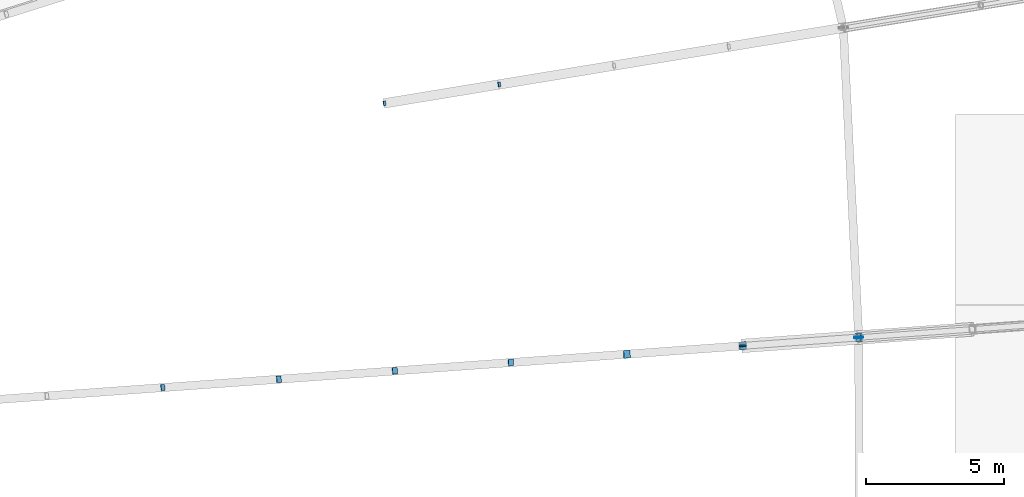
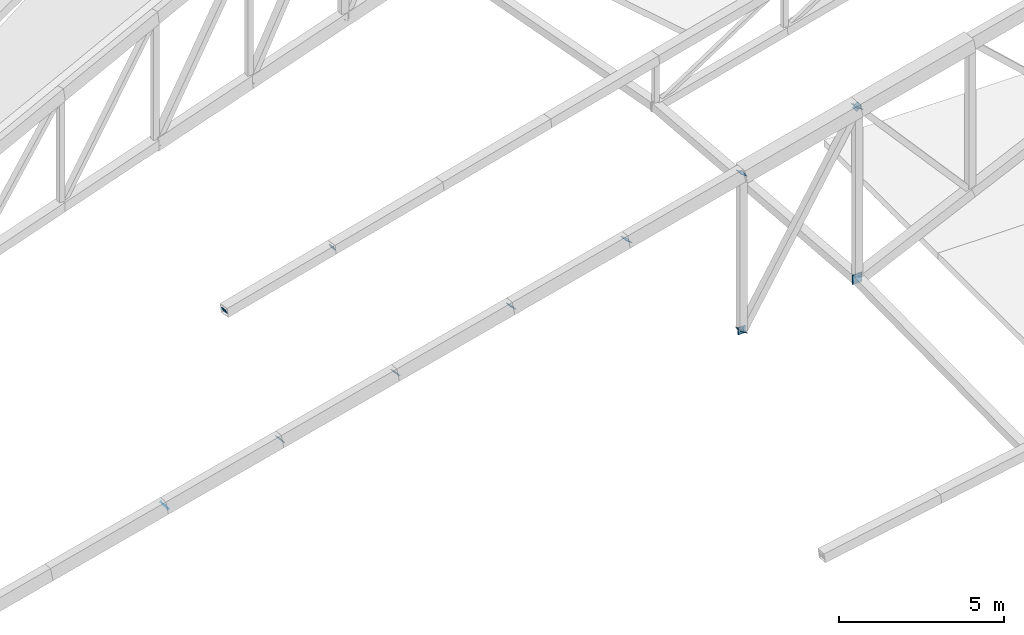
# One storey, part 176 of 188: 15 discrete accessories.
"""IFC4 building model written with IfcOpenShell, lengths in metres."""

import ifcopenshell
import ifcopenshell.guid

model = None  # the IFC model being written
_history = None  # IfcOwnerHistory: only IFC2X3 demands one
_inside = {}  # id of a spatial element -> (the spatial element, [elements in it])
_under = {}  # id of a project, library or spatial element -> (it, [spatial elements below it])
_declared = {}  # id of a project -> (the project, [libraries it declares])
_typed = {}  # id of a type object -> (the type object, [elements of that type])
_made_of = {}  # id of a material, layer set ... -> (it, [elements and type objects made of it])


def new_model(schema):
    """Start an empty IFC model of exactly this schema.

    Asked for "IFC4X3", IfcOpenShell would pick the latest addendum, in which some entities
    have other attributes; the version numbers below select the first issue.
    IFC2X3 requires an IfcOwnerHistory on every rooted entity: one is made here for all.
    """
    global model, _history
    if schema == "IFC4X3":
        model = ifcopenshell.file(schema_version=(4, 3, 0, 0))
    else:
        model = ifcopenshell.file(schema=schema)
    _inside.clear()
    _under.clear()
    _declared.clear()
    _typed.clear()
    _made_of.clear()
    _history = None
    if model.schema == "IFC2X3":
        org = make("IfcOrganization", Name="unknown")
        user = make(
            "IfcPersonAndOrganization",
            ThePerson=make("IfcPerson", FamilyName="unknown"),
            TheOrganization=org,
        )
        app = make(
            "IfcApplication",
            ApplicationDeveloper=org,
            Version="unknown",
            ApplicationFullName="unknown",
            ApplicationIdentifier="unknown",
        )
        _history = make(
            "IfcOwnerHistory",
            OwningUser=user,
            OwningApplication=app,
            ChangeAction="ADDED",
            CreationDate=0,
        )
    return model


def make(cls, **values):
    """One entity of the class cls with the attributes given. An attribute that is None is left unset."""
    return model.create_entity(
        cls, **{name: value for name, value in values.items() if value is not None}
    )


def rooted(cls, **values):
    """An entity with a GlobalId (a new one), such as an element, a storey or a relation."""
    return make(cls, GlobalId=ifcopenshell.guid.new(), OwnerHistory=_history, **values)


def si_unit(unit_type, name, prefix=None):
    """IfcSIUnit, for example si_unit("LENGTHUNIT", "METRE", prefix="MILLI")."""
    return make("IfcSIUnit", UnitType=unit_type, Prefix=prefix, Name=name)


def assignment(units):
    """IfcUnitAssignment: the units of a project."""
    return None if units is None else make("IfcUnitAssignment", Units=units)


def point(xyz):
    """IfcCartesianPoint."""
    return None if xyz is None else make("IfcCartesianPoint", Coordinates=xyz)


def direction(xyz):
    """IfcDirection."""
    return None if xyz is None else make("IfcDirection", DirectionRatios=xyz)


def frame(location, z_axis=None, x_axis=None):
    """IfcAxis2Placement3D, a coordinate frame: its origin and axes. An axis left out is left unset."""
    return make(
        "IfcAxis2Placement3D",
        Location=point(location),
        Axis=direction(z_axis),
        RefDirection=direction(x_axis),
    )


def frame_2d(location, x_axis=None):
    """IfcAxis2Placement2D, a coordinate frame in the plane: its origin and x axis."""
    return make(
        "IfcAxis2Placement2D", Location=point(location), RefDirection=direction(x_axis)
    )


def origin():
    """The frame at (0, 0, 0) with its axes left unset."""
    return frame((0.0, 0.0, 0.0))


def origin_2d():
    """The frame at (0, 0) in the plane with its x axis left unset."""
    return frame_2d((0.0, 0.0))


def place(relative_to, where):
    """IfcLocalPlacement: puts the frame where relative to a parent placement (None: the world)."""
    return make(
        "IfcLocalPlacement", PlacementRelTo=relative_to, RelativePlacement=where
    )


def context(
    kind, dimensions, precision=None, world=None, true_north=None, identifier=None
):
    """IfcGeometricRepresentationContext, for example the 3D "Model" context."""
    return make(
        "IfcGeometricRepresentationContext",
        ContextIdentifier=identifier,
        ContextType=kind,
        CoordinateSpaceDimension=dimensions,
        Precision=precision,
        WorldCoordinateSystem=world,
        TrueNorth=true_north,
    )


def subcontext(parent, identifier, kind, view, scale=None):
    """IfcGeometricRepresentationSubContext, for example "Body" below "Model"."""
    return make(
        "IfcGeometricRepresentationSubContext",
        ContextIdentifier=identifier,
        ContextType=kind,
        ParentContext=parent,
        TargetScale=scale,
        TargetView=view,
    )


def project(units=None, contexts=None):
    """IfcProject with its units and contexts."""
    return rooted(
        "IfcProject",
        Name="project",
        RepresentationContexts=contexts,
        UnitsInContext=assignment(units),
    )


def spatial(cls, under=None, at=None, **own):
    """A site, building, storey or space (cls), placed at a placement, below another one or the project."""
    s = rooted(cls, ObjectPlacement=at, **own)
    if under is not None:
        _under.setdefault(under.id(), (under, []))[1].append(s)
    return s


def profile(cls, at=None, kind="AREA", **sizes):
    """A parametric profile (cls). Its sizes go by their IFC names, for example OverallWidth=200.0."""
    return make(cls, ProfileType=kind, Position=at, **sizes)


def rectangle(**sizes):
    """IfcRectangleProfileDef."""
    return profile("IfcRectangleProfileDef", **sizes)


def extrude(swept, where, along, depth):
    """IfcExtrudedAreaSolid: the profile swept, set in the frame where, extruded along a direction by depth."""
    return make(
        "IfcExtrudedAreaSolid",
        SweptArea=swept,
        Position=where,
        ExtrudedDirection=direction(along),
        Depth=depth,
    )


def shape(context_of_items, identifier, shape_type, items):
    """IfcShapeRepresentation: the items that make up one representation, for example the "Body"."""
    return make(
        "IfcShapeRepresentation",
        ContextOfItems=context_of_items,
        RepresentationIdentifier=identifier,
        RepresentationType=shape_type,
        Items=items,
    )


def material(Name=None, Category=None):
    """IfcMaterial."""
    return make("IfcMaterial", Name=Name, Category=Category)


def material_profile(
    of_material, cross_section, Name=None, Category=None, Priority=None
):
    """IfcMaterialProfile: a cross section and its material."""
    return make(
        "IfcMaterialProfile",
        Name=Name,
        Material=of_material,
        Profile=cross_section,
        Priority=Priority,
        Category=Category,
    )


def profile_set(profiles, Name=None, composite=None):
    """IfcMaterialProfileSet."""
    return make(
        "IfcMaterialProfileSet",
        Name=Name,
        MaterialProfiles=profiles,
        CompositeProfile=composite,
    )


def made_of(thing, what):
    """Note that an element or type object is made of a material, layer set ...; save() writes the relation."""
    if what is not None:
        _made_of.setdefault(what.id(), (what, []))[1].append(thing)
    return thing


def type_object(cls, material=None, **own):
    """A type object (cls), such as IfcWallType, which elements share."""
    return made_of(rooted(cls, **own), material)


def element(
    cls,
    number,
    at=None,
    inside=None,
    cuts=None,
    type_object=None,
    material=None,
    context=None,
    identifier="Body",
    shape_type=None,
    held_by="IfcProductDefinitionShape",
    body=None,
    shapes=None,
    **own,
):
    """One element of the class cls, such as IfcWall. Its Tag is "e" and its number.

    at: its placement. inside: the storey or other place that contains it. cuts: it is an
    opening in that element (IfcRelVoidsElement). A single representation is given by context,
    identifier, shape_type and body (its items); several are given by shapes. held_by: the class
    of the entity that holds the representations. save() writes the other relations.
    """
    e = rooted(cls, Tag="e%d" % number, ObjectPlacement=at, **own)
    if body is not None:
        shapes = [shape(context, identifier, shape_type, body)]
    if shapes is not None:
        e.Representation = make(held_by, Representations=shapes)
    if inside is not None:
        _inside.setdefault(inside.id(), (inside, []))[1].append(e)
    if cuts is not None:
        rooted(
            "IfcRelVoidsElement", RelatingBuildingElement=cuts, RelatedOpeningElement=e
        )
    if type_object is not None:
        _typed.setdefault(type_object.id(), (type_object, []))[1].append(e)
    return made_of(e, material)


def aggregate(whole, parts):
    """IfcRelAggregates: a whole, such as a stair, and the parts it consists of."""
    return rooted("IfcRelAggregates", RelatingObject=whole, RelatedObjects=parts)


def save(model, path):
    """Write the relations noted so far, then the file.

    IfcRelAggregates (storeys below a building ...), IfcRelContainedInSpatialStructure (elements
    in a storey), IfcRelDefinesByType, IfcRelAssociatesMaterial and IfcRelDeclares: one each for
    every whole, place, type object, material and project.
    """
    for whole, parts in _under.values():
        aggregate(whole, parts)
    for where, things in _inside.values():
        rooted(
            "IfcRelContainedInSpatialStructure",
            RelatedElements=things,
            RelatingStructure=where,
        )
    for kind, things in _typed.values():
        rooted("IfcRelDefinesByType", RelatedObjects=things, RelatingType=kind)
    for what, things in _made_of.values():
        rooted("IfcRelAssociatesMaterial", RelatedObjects=things, RelatingMaterial=what)
    for by, libraries in _declared.values():
        rooted("IfcRelDeclares", RelatingContext=by, RelatedDefinitions=libraries)
    model.write(path)


model = new_model("IFC4")

# Units and contexts
model_context = context("Model", 3, precision=1e-05, world=origin(), true_north=direction((0.0, 1.0)))
body_context = subcontext(model_context, "Body", "Model", "MODEL_VIEW")
ifc_project = project(units=[si_unit("LENGTHUNIT", "METRE"), si_unit("AREAUNIT", "SQUARE_METRE"), si_unit("VOLUMEUNIT", "CUBIC_METRE"), si_unit("PLANEANGLEUNIT", "RADIAN"), si_unit("MASSUNIT", "GRAM", prefix="KILO")], contexts=[model_context])

# Site, building, storey
site_placement = place(None, origin())
site = spatial("IfcSite", under=ifc_project, at=site_placement, CompositionType="ELEMENT")
building_placement = place(site_placement, origin())
building = spatial("IfcBuilding", under=site, at=building_placement, Name="Meseta Stadium", CompositionType="ELEMENT")
storey_placement = place(building_placement, frame((0.0, 0.0, 30.0)))
storey = spatial("IfcBuildingStorey", under=building, at=storey_placement, Name="ROOF", CompositionType="ELEMENT", Elevation=30.0)

# Discrete accessories
ifc_material_1 = material(Name="Steel S355", Category="steel")
ifc_material_profile_1 = material_profile(ifc_material_1, rectangle(XDim=0.179931640625, YDim=0.179931640625, at=origin_2d()), Name="PL 180x180")
ifc_profile_set_1 = profile_set([ifc_material_profile_1], Name="Steel S355")
discrete_accessory_type_1 = type_object("IfcDiscreteAccessoryType", Name="End plate 180x180x20", PredefinedType="ANCHORPLATE", material=ifc_profile_set_1)
for number, where, z_axis, x_axis, name in (
    (1, (67.660400390625, 51.060302734375, 0.70556640625), (0.873552606789, 0.135339136263, 0.467535198), (-0.153102994509, 0.988210237284, 0.0), "End plate of ROOF TRUSS RT-09 diagonal"),
    (2, (71.82666015625, 51.74560546875, 1.16845703125), (0.873552606789, 0.135339136263, 0.467535198), (-0.153102994509, 0.988210237284, 0.0), "End plate of ROOF TRUSS RT-09 diagonal"),
):
    element("IfcDiscreteAccessory", number, at=place(storey_placement, frame(where, z_axis=z_axis, x_axis=x_axis)), inside=storey, type_object=discrete_accessory_type_1, Name=name, PredefinedType="ANCHORPLATE", context=body_context, shape_type="SweptSolid", body=[
        extrude(rectangle(XDim=0.179931640625, YDim=0.179931640625, at=origin_2d()), origin(), (0.0, 0.0, 1.0), 0.019775390625),
    ])
ifc_material_2 = material(Name="Steel S355", Category="steel")
ifc_material_profile_2 = material_profile(ifc_material_2, rectangle(XDim=0.219970703125, YDim=0.219970703125, at=origin_2d()), Name="PL 220x220")
ifc_profile_set_2 = profile_set([ifc_material_profile_2], Name="Steel S355")
discrete_accessory_type_2 = type_object("IfcDiscreteAccessoryType", Name="End plate 220x220x20", PredefinedType="ANCHORPLATE", material=ifc_profile_set_2)
discrete_accessory_1_placement = place(storey_placement, frame((59.6162109375, 40.743408203125, 2.556884765625), z_axis=(0.791682769845, 0.048718939683, 0.608986746035), x_axis=(-0.061422268918, 0.998111869923, 0.0)))
element("IfcDiscreteAccessory", 3, at=discrete_accessory_1_placement, inside=storey, type_object=discrete_accessory_type_2, Name="End plate of ROOF TRUSS RT-08 diagonal", PredefinedType="ANCHORPLATE", context=body_context, shape_type="SweptSolid", body=[
    extrude(rectangle(XDim=0.219970703125, YDim=0.219970703125, at=origin_2d()), origin(), (0.0, 0.0, 1.0), 0.02001953125),
])
ifc_material_3 = material(Name="Steel S355", Category="steel")
ifc_material_profile_3 = material_profile(ifc_material_3, rectangle(XDim=0.239990234375, YDim=0.239990234375, at=origin_2d()), Name="PL 240x240")
ifc_profile_set_3 = profile_set([ifc_material_profile_3], Name="Steel S355")
discrete_accessory_type_3 = type_object("IfcDiscreteAccessoryType", Name="End plate 240x240x20", PredefinedType="ANCHORPLATE", material=ifc_profile_set_3)
discrete_accessory_2_placement = place(storey_placement, frame((63.82763671875, 41.04638671875, 3.357177734375), z_axis=(0.736265600911, 0.049084373394, 0.674910134169), x_axis=(-0.066519010524, 0.997785157857, 0.0)))
element("IfcDiscreteAccessory", 4, at=discrete_accessory_2_placement, inside=storey, type_object=discrete_accessory_type_3, Name="End plate of ROOF TRUSS RT-08 diagonal", PredefinedType="ANCHORPLATE", context=body_context, shape_type="SweptSolid", body=[
    extrude(rectangle(XDim=0.239990234375, YDim=0.239990234375, at=origin_2d()), origin(), (0.0, 0.0, 1.0), 0.019775390625),
])
for number, where, z_axis, x_axis, name in (
    (5, (68.038818359375, 41.349365234375, 4.157470703125), (0.69398756259, 0.048700881585, 0.718338003382), (-0.070003281481, 0.9975467611, 0.0), "End plate of ROOF TRUSS RT-08 diagonal"),
    (6, (72.25, 41.65234375, 4.957763671875), (0.656004866512, 0.048592953075, 0.753190772662), (-0.073871685515, 0.997267754457, 0.0), "End plate of ROOF TRUSS RT-08 diagonal"),
    (7, (84.870849609375, 42.560546875, 7.37353515625), (0.662041170887, 0.049040086732, -0.747861322669), (-0.073871685515, 0.997267754457, 0.0), "End plate of ROOF TRUSS RT-08 diagonal"),
):
    element("IfcDiscreteAccessory", number, at=place(storey_placement, frame(where, z_axis=z_axis, x_axis=x_axis)), inside=storey, type_object=discrete_accessory_type_3, Name=name, PredefinedType="ANCHORPLATE", context=body_context, shape_type="SweptSolid", body=[
        extrude(rectangle(XDim=0.239990234375, YDim=0.239990234375, at=origin_2d()), origin(), (0.0, 0.0, 1.0), 0.02001953125),
    ])
ifc_material_4 = material(Name="Steel S355", Category="steel")
ifc_material_profile_4 = material_profile(ifc_material_4, rectangle(XDim=0.260009765625, YDim=0.260009765625, at=origin_2d()), Name="PL 260x260")
ifc_profile_set_4 = profile_set([ifc_material_profile_4], Name="Steel S355")
discrete_accessory_type_4 = type_object("IfcDiscreteAccessoryType", Name="End plate 260x260x20", PredefinedType="ANCHORPLATE", material=ifc_profile_set_4)
for number, where, z_axis, x_axis, name in (
    (8, (80.672607421875, 42.258544921875, 0.773193359375), (0.0, 0.998812351125, 0.048722553713), (-1.0, 0.0, 0.0), "End plate of ROOF TRUSS STRUT RT-07/08"),
    (9, (80.673583984375, 42.238525390625, 0.77392578125), (-0.04869005636, 0.998146155389, -0.03651754227), (-0.998812351125, -0.048722553713, 0.0), "End plate of ROOF TRUSS STRUT RT-08/09"),
):
    element("IfcDiscreteAccessory", number, at=place(storey_placement, frame(where, z_axis=z_axis, x_axis=x_axis)), inside=storey, type_object=discrete_accessory_type_4, Name=name, PredefinedType="ANCHORPLATE", context=body_context, shape_type="SweptSolid", body=[
        extrude(rectangle(XDim=0.260009765625, YDim=0.260009765625, at=origin_2d()), origin(), (0.0, 0.0, 1.0), 0.02001953125),
    ])
ifc_material_5 = material(Name="Steel S355", Category="steel")
ifc_material_profile_5 = material_profile(ifc_material_5, rectangle(XDim=0.2900390625, YDim=0.2900390625, at=origin_2d()), Name="PL 290x290")
ifc_profile_set_5 = profile_set([ifc_material_profile_5], Name="Steel S355")
discrete_accessory_type_5 = type_object("IfcDiscreteAccessoryType", Name="End plate 290x290x20", PredefinedType="ANCHORPLATE", material=ifc_profile_set_5)
for number, where, z_axis, x_axis, name in (
    (10, (76.46142578125, 41.95556640625, 5.758056640625), (0.609303184999, 0.0365581911, 0.792094140499), (-0.059892290728, 0.998204845466, 0.0), "End plate of ROOF TRUSS RT-08 diagonal"),
    (11, (80.672607421875, 42.258544921875, 6.558349609375), (0.573896669971, 0.036631702339, 0.818108018895), (-0.063700154225, 0.997969082864, 0.0), "End plate of ROOF TRUSS RT-08 diagonal"),
    (12, (80.661865234375, 42.2578125, 0.75634765625), (0.537305024666, 0.0366344335, 0.8425919705), (-0.068023888137, 0.997683692682, 0.0), "End plate of ROOF TRUSS RT-08 diagonal"),
    (13, (84.884033203125, 42.5615234375, 7.358642578125), (0.537305024666, 0.0366344335, 0.8425919705), (-0.068023888137, 0.997683692682, 0.0), "End plate of ROOF TRUSS RT-08 diagonal"),
):
    element("IfcDiscreteAccessory", number, at=place(storey_placement, frame(where, z_axis=z_axis, x_axis=x_axis)), inside=storey, type_object=discrete_accessory_type_5, Name=name, PredefinedType="ANCHORPLATE", context=body_context, shape_type="SweptSolid", body=[
        extrude(rectangle(XDim=0.2900390625, YDim=0.2900390625, at=origin_2d()), origin(), (0.0, 0.0, 1.0), 0.02001953125),
    ])
ifc_material_6 = material(Name="Steel S355", Category="steel")
ifc_material_profile_6 = material_profile(ifc_material_6, rectangle(XDim=0.340087890625, YDim=0.340087890625, at=origin_2d()), Name="PL 340x340")
ifc_profile_set_6 = profile_set([ifc_material_profile_6], Name="Steel S355")
discrete_accessory_type_6 = type_object("IfcDiscreteAccessoryType", Name="End plate 340x340x20", PredefinedType="ANCHORPLATE", material=ifc_profile_set_6)
for number, where, z_axis, x_axis, name in (
    (14, (84.884033203125, 42.5615234375, 1.025390625), (-0.012193308685, 0.999851312169, 0.012193308685), (-0.999925647793, -0.012194215217, 0.0), "End plate of ROOF PIVOT STRUT RT-07/08"),
    (15, (84.885009765625, 42.54150390625, 1.025634765625), (-0.048718939683, 0.998738263497, -0.012179734921), (-0.998812351125, -0.048722553713, 0.0), "End plate of ROOF PIVOT STRUT RT-08/09"),
):
    element("IfcDiscreteAccessory", number, at=place(storey_placement, frame(where, z_axis=z_axis, x_axis=x_axis)), inside=storey, type_object=discrete_accessory_type_6, Name=name, PredefinedType="ANCHORPLATE", context=body_context, shape_type="SweptSolid", body=[
        extrude(rectangle(XDim=0.340087890625, YDim=0.340087890625, at=origin_2d()), origin(), (0.0, 0.0, 1.0), 0.02001953125),
    ])

save(model, "model.ifc")
